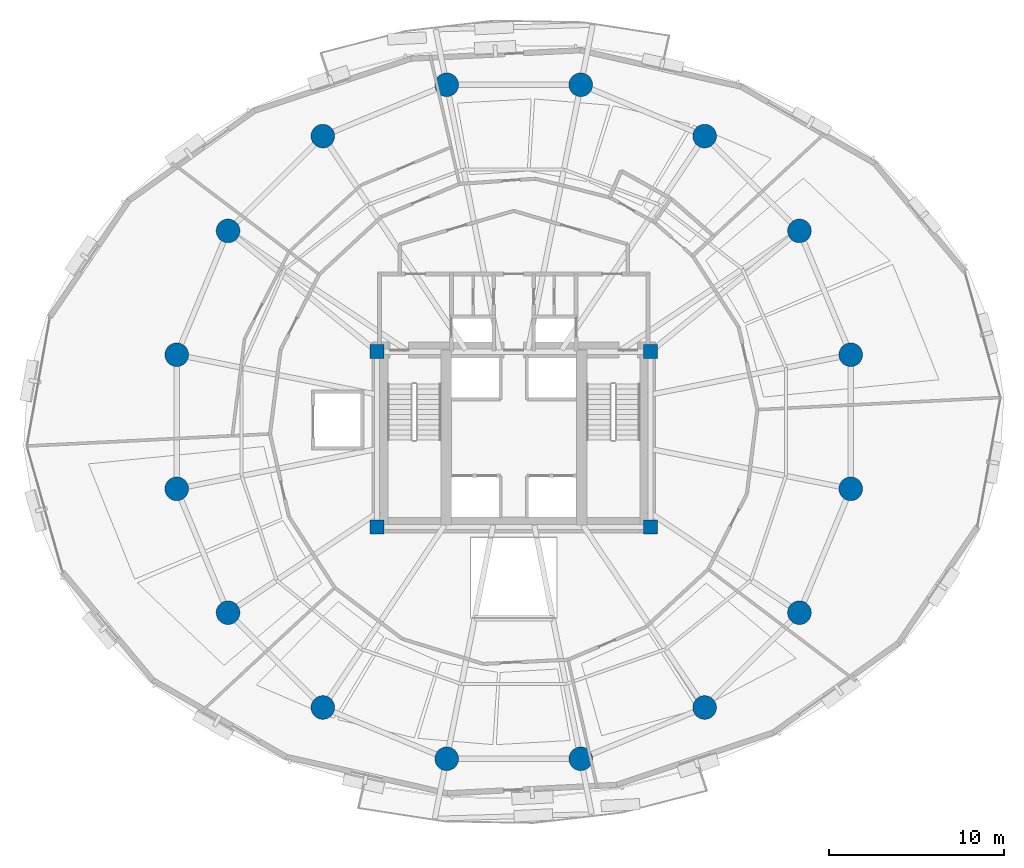
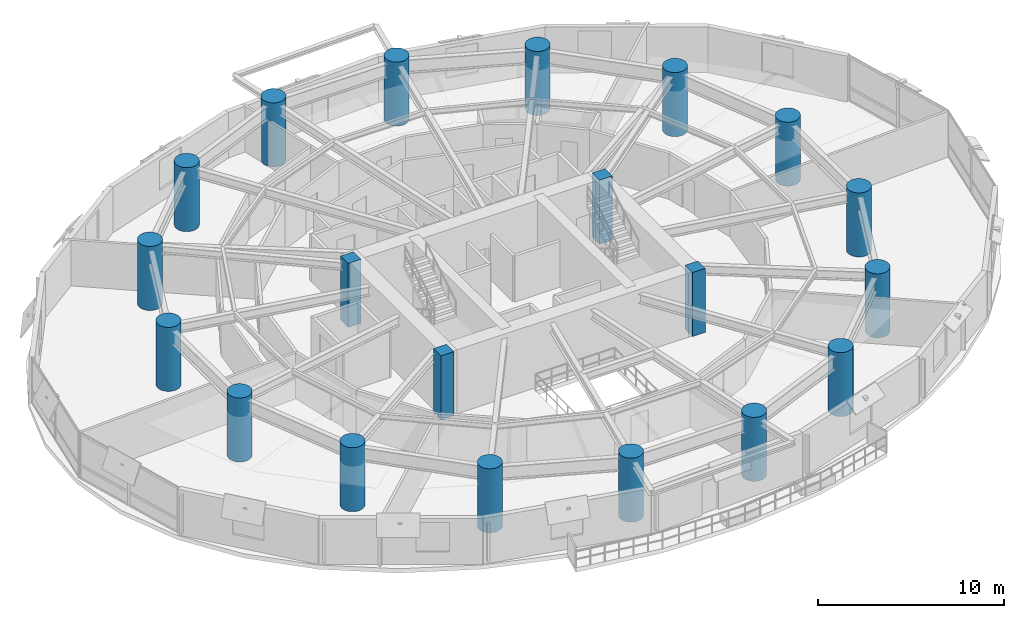
# One storey, part 1 of 16: 20 columns.
"""IFC4 building model written with IfcOpenShell, lengths in metres."""

from ifc_helpers import new_model, si_unit, direction, frame, origin, origin_2d, place, context, subcontext, project, spatial, rectangle, circle, extrude, material, material_profile, profile_set, type_object, element, save


model = new_model("IFC4")

# Units and contexts
model_context = context("Model", 3, precision=1e-05, world=origin(), true_north=direction((0.0, 1.0)))
body_context = subcontext(model_context, "Body", "Model", "MODEL_VIEW")
ifc_project = project(units=[si_unit("LENGTHUNIT", "METRE"), si_unit("AREAUNIT", "SQUARE_METRE"), si_unit("VOLUMEUNIT", "CUBIC_METRE"), si_unit("PLANEANGLEUNIT", "RADIAN"), si_unit("MASSUNIT", "GRAM", prefix="KILO"), si_unit("THERMODYNAMICTEMPERATUREUNIT", "KELVIN"), si_unit("POWERUNIT", "WATT")], contexts=[model_context])

# Site, building, storey
site_placement = place(None, origin())
site = spatial("IfcSite", under=ifc_project, at=site_placement, CompositionType="ELEMENT")
building_placement = place(site_placement, origin())
building = spatial("IfcBuilding", under=site, at=building_placement, Name="Ocrelia Relay Tower", CompositionType="ELEMENT")
storey_placement = place(building_placement, frame((0.0, 0.0, 42.60009765625)))
storey = spatial("IfcBuildingStorey", under=building, at=storey_placement, Name="L09", CompositionType="ELEMENT", Elevation=42.60009765625)

# Columns
ifc_material_1 = material(Name="Concrete C70/85", Category="concrete")
ifc_material_profile_1 = material_profile(ifc_material_1, circle(Radius=0.675048828125, at=origin_2d()), Name="RC-CIR-1350")
ifc_profile_set_1 = profile_set([ifc_material_profile_1], Name="Concrete C70/85")
column_type_1 = type_object("IfcColumnType", Name="COL-CT-1350", PredefinedType="COLUMN", material=ifc_profile_set_1)
for number, where, z_axis, x_axis, name in (
    (1, (53.223388671875, 29.82373046875, 0.0), (0.0, 0.0, 1.0), (1.0, 0.0, 0.0), "L09 Perimeter Ring Column C01"),
    (2, (50.296875, 36.88916015625, 0.0), (0.0, 0.0, 1.0), (1.0, 0.0, 0.0), "L09 Perimeter Ring Column C02"),
    (3, (44.88916015625, 42.296875, 0.0), (0.0, 0.0, 1.0), (1.0, 0.0, 0.0), "L09 Perimeter Ring Column C03"),
    (4, (37.82373046875, 45.223388671875, 0.0), (0.0, 0.0, 1.0), (1.0, 0.0, 0.0), "L09 Perimeter Ring Column C04"),
    (5, (30.17626953125, 45.223388671875, 0.0), (0.0, 0.0, 1.0), (1.0, 0.0, 0.0), "L09 Perimeter Ring Column C05"),
    (6, (23.11083984375, 42.296875, 0.0), (0.0, 0.0, 1.0), (1.0, 0.0, 0.0), "L09 Perimeter Ring Column C06"),
    (7, (17.703125, 36.88916015625, 0.0), (0.0, 0.0, 1.0), (1.0, 0.0, 0.0), "L09 Perimeter Ring Column C07"),
    (8, (14.776611328125, 29.82373046875, 0.0), (0.0, 0.0, 1.0), (1.0, 0.0, 0.0), "L09 Perimeter Ring Column C08"),
    (9, (14.776611328125, 22.17626953125, 0.0), (0.0, 0.0, 1.0), (1.0, 0.0, 0.0), "L09 Perimeter Ring Column C09"),
    (10, (17.703125, 15.11083984375, 0.0), (0.0, 0.0, 1.0), (1.0, 0.0, 0.0), "L09 Perimeter Ring Column C10"),
    (11, (23.11083984375, 9.703125, 0.0), (0.0, 0.0, 1.0), (1.0, 0.0, 0.0), "L09 Perimeter Ring Column C11"),
    (12, (30.17626953125, 6.776611328125, 0.0), (0.0, 0.0, 1.0), (1.0, 0.0, 0.0), "L09 Perimeter Ring Column C12"),
    (13, (37.82373046875, 6.776611328125, 0.0), (0.0, 0.0, 1.0), (1.0, 0.0, 0.0), "L09 Perimeter Ring Column C13"),
    (14, (44.88916015625, 9.703125, 0.0), (0.0, 0.0, 1.0), (1.0, 0.0, 0.0), "L09 Perimeter Ring Column C14"),
    (15, (50.296875, 15.11083984375, 0.0), (0.0, 0.0, 1.0), (1.0, 0.0, 0.0), "L09 Perimeter Ring Column C15"),
    (16, (53.223388671875, 22.17626953125, 0.0), (0.0, 0.0, 1.0), (1.0, 0.0, 0.0), "L09 Perimeter Ring Column C16"),
):
    element("IfcColumn", number, at=place(storey_placement, frame(where, z_axis=z_axis, x_axis=x_axis)), inside=storey, type_object=column_type_1, Name=name, PredefinedType="COLUMN", context=body_context, shape_type="SweptSolid", body=[
        extrude(circle(Radius=0.675048828125, at=origin_2d()), origin(), (0.0, 0.0, 1.0), 4.199951171875),
    ])
ifc_material_2 = material(Name="Concrete C60/75", Category="concrete")
ifc_material_profile_2 = material_profile(ifc_material_2, rectangle(XDim=0.800048828125, YDim=0.800048828125, at=origin_2d()), Name="RC-COL-800x800")
ifc_profile_set_2 = profile_set([ifc_material_profile_2], Name="Concrete C60/75")
column_type_2 = type_object("IfcColumnType", Name="COL-PILASTER-800", PredefinedType="PILASTER", material=ifc_profile_set_2)
for number, where, z_axis, x_axis, name in (
    (17, (26.199951171875, 20.0, 0.0), (0.0, 0.0, 1.0), (1.0, 0.0, 0.0), "L09 Core Corner Pilaster SW"),
    (18, (41.800048828125, 20.0, 0.0), (0.0, 0.0, 1.0), (1.0, 0.0, 0.0), "L09 Core Corner Pilaster SE"),
    (19, (26.199951171875, 30.0, 0.0), (0.0, 0.0, 1.0), (1.0, 0.0, 0.0), "L09 Core Corner Pilaster NW"),
    (20, (41.800048828125, 30.0, 0.0), (0.0, 0.0, 1.0), (1.0, 0.0, 0.0), "L09 Core Corner Pilaster NE"),
):
    element("IfcColumn", number, at=place(storey_placement, frame(where, z_axis=z_axis, x_axis=x_axis)), inside=storey, type_object=column_type_2, Name=name, PredefinedType="PILASTER", context=body_context, shape_type="SweptSolid", body=[
        extrude(rectangle(XDim=0.800048828125, YDim=0.800048828125, at=origin_2d()), origin(), (0.0, 0.0, 1.0), 4.199951171875),
    ])

save(model, "model.ifc")
